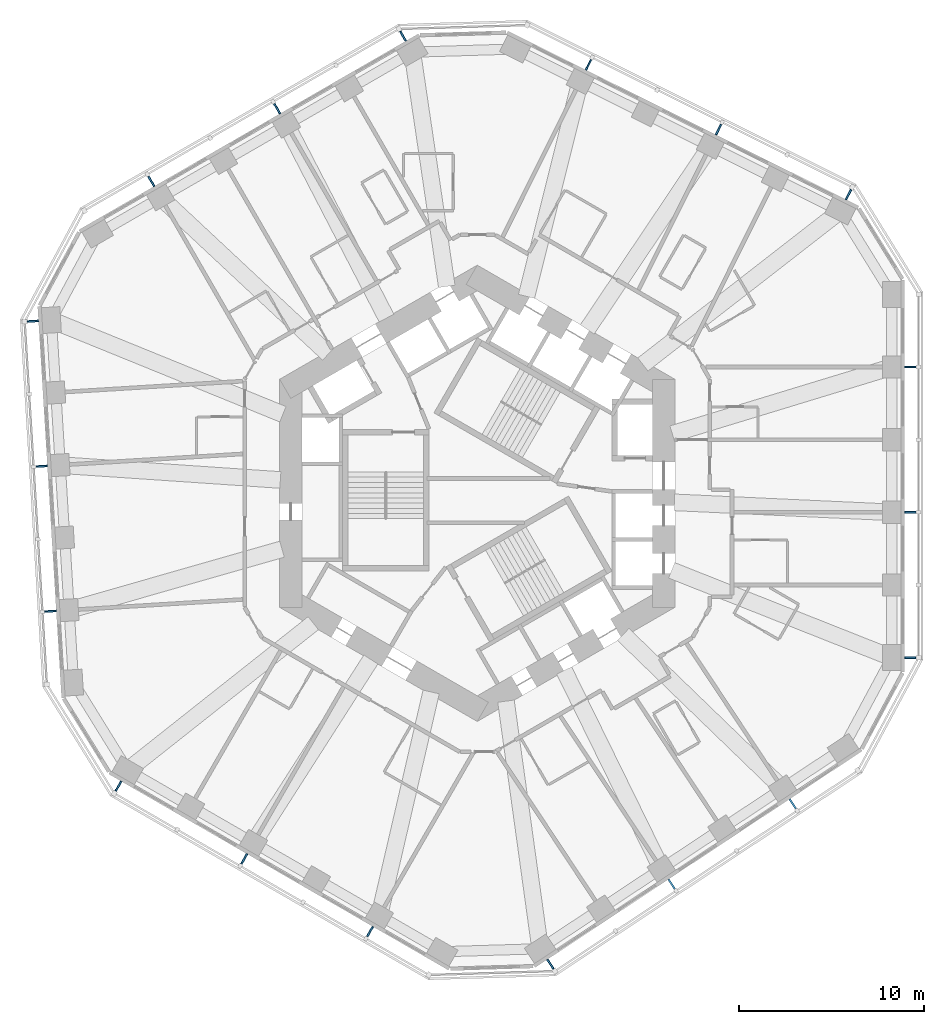
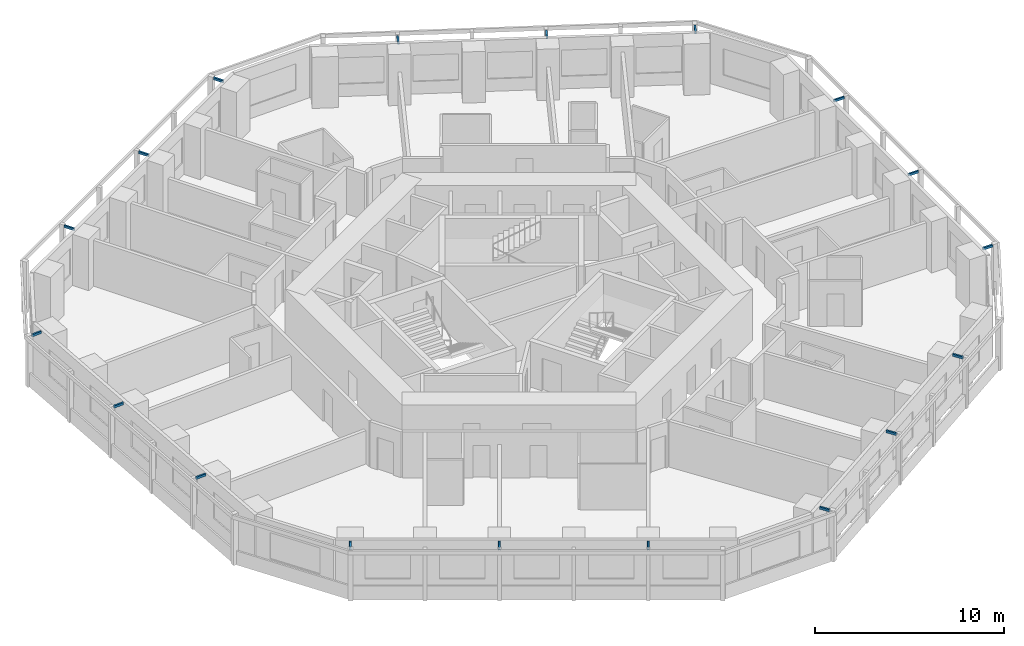
# One storey, part 11 of 12: 18 discrete accessories.
"""IFC4 building model written with IfcOpenShell, lengths in metres."""

from ifc_helpers import new_model, si_unit, direction, frame, origin, origin_2d, place, context, subcontext, project, spatial, rectangle, extrude, material, type_object, element, save


model = new_model("IFC4")

# Units and contexts
model_context = context("Model", 3, precision=1e-05, world=origin(), true_north=direction((0.0, 1.0)))
body_context = subcontext(model_context, "Body", "Model", "MODEL_VIEW")
ifc_project = project(units=[si_unit("LENGTHUNIT", "METRE"), si_unit("AREAUNIT", "SQUARE_METRE"), si_unit("VOLUMEUNIT", "CUBIC_METRE"), si_unit("PLANEANGLEUNIT", "RADIAN"), si_unit("MASSUNIT", "GRAM", prefix="KILO")], contexts=[model_context])

# Site, building, storey
site_placement = place(None, origin())
site = spatial("IfcSite", under=ifc_project, at=site_placement, CompositionType="ELEMENT")
building_placement = place(site_placement, origin())
building = spatial("IfcBuilding", under=site, at=building_placement, Name="Vanh Sen Convention Tower", CompositionType="ELEMENT")
storey_placement = place(building_placement, frame((0.0, 0.0, 73.699951171875)))
storey = spatial("IfcBuildingStorey", under=building, at=storey_placement, Name="L16", CompositionType="ELEMENT", Elevation=73.699951171875)

# Discrete accessories
ifc_material = material(Name="Steel S355", Category="steel")
discrete_accessory_type = type_object("IfcDiscreteAccessoryType", Name="Fin bracket 100 x 150", PredefinedType="BRACKET", material=ifc_material)
discrete_accessory_1_placement = place(storey_placement, frame((23.449951171875, -8.899169921875, 3.10009765625), z_axis=(0.0, 0.0, 1.0), x_axis=(1.0, 0.0, 0.0)))
element("IfcDiscreteAccessory", 1, at=discrete_accessory_1_placement, inside=storey, type_object=discrete_accessory_type, Name="Fin bracket E-1 L16", PredefinedType="BRACKET", context=body_context, shape_type="SweptSolid", body=[
    extrude(rectangle(XDim=0.60009765625, YDim=0.10009765625, at=origin_2d()), origin(), (0.0, 0.0, 1.0), 0.14990234375),
])
for number, where, z_axis, x_axis, name in (
    (2, (23.46240234375, -1.030029296875, 3.10009765625), (0.0, 0.0, 1.0), (1.0, 0.0, 0.0), "Fin bracket E-3 L16"),
    (3, (23.46240234375, 6.839111328125, 3.10009765625), (0.0, 0.0, 1.0), (1.0, 0.0, 0.0), "Fin bracket E-5 L16"),
):
    element("IfcDiscreteAccessory", number, at=place(storey_placement, frame(where, z_axis=z_axis, x_axis=x_axis)), inside=storey, type_object=discrete_accessory_type, Name=name, PredefinedType="BRACKET", context=body_context, shape_type="SweptSolid", body=[
        extrude(rectangle(XDim=0.625, YDim=0.10009765625, at=origin_2d()), origin(), (0.0, 0.0, 1.0), 0.14990234375),
    ])
discrete_accessory_2_placement = place(storey_placement, frame((20.10498046875, 16.178955078125, 3.10009765625), z_axis=(0.0, 0.0, 1.0), x_axis=(0.44619781311, 0.894934361602, 0.0)))
element("IfcDiscreteAccessory", 4, at=discrete_accessory_2_placement, inside=storey, type_object=discrete_accessory_type, Name="Fin bracket NE-1 L16", PredefinedType="BRACKET", context=body_context, shape_type="SweptSolid", body=[
    extrude(rectangle(XDim=0.60009765625, YDim=0.10009765625, at=origin_2d()), origin(), (0.0, 0.0, 1.0), 0.14990234375),
])
for number, where, z_axis, x_axis, name in (
    (5, (13.068359375, 19.701416015625, 3.10009765625), (0.0, 0.0, 1.0), (0.44619781311, 0.894934361602, 0.0), "Fin bracket NE-3 L16"),
    (6, (6.02587890625, 23.212646484375, 3.10009765625), (0.0, 0.0, 1.0), (0.44619781311, 0.894934361602, 0.0), "Fin bracket NE-5 L16"),
):
    element("IfcDiscreteAccessory", number, at=place(storey_placement, frame(where, z_axis=z_axis, x_axis=x_axis)), inside=storey, type_object=discrete_accessory_type, Name=name, PredefinedType="BRACKET", context=body_context, shape_type="SweptSolid", body=[
        extrude(rectangle(XDim=0.625, YDim=0.10009765625, at=origin_2d()), origin(), (0.0, 0.0, 1.0), 0.14990234375),
    ])
discrete_accessory_3_placement = place(storey_placement, frame((-4.01806640625, 24.7578125, 3.10009765625), z_axis=(0.0, 0.0, 1.0), x_axis=(-0.5, 0.866025403784, 0.0)))
element("IfcDiscreteAccessory", 7, at=discrete_accessory_3_placement, inside=storey, type_object=discrete_accessory_type, Name="Fin bracket NW-1 L16", PredefinedType="BRACKET", context=body_context, shape_type="SweptSolid", body=[
    extrude(rectangle(XDim=0.60009765625, YDim=0.10009765625, at=origin_2d()), origin(), (0.0, 0.0, 1.0), 0.14990234375),
])
for number, where, z_axis, x_axis, name in (
    (8, (-10.839111328125, 20.834228515625, 3.10009765625), (0.0, 0.0, 1.0), (-0.5, 0.866025403784, 0.0), "Fin bracket NW-3 L16"),
    (9, (-17.654296875, 16.899658203125, 3.10009765625), (0.0, 0.0, 1.0), (-0.5, 0.866025403784, 0.0), "Fin bracket NW-5 L16"),
):
    element("IfcDiscreteAccessory", number, at=place(storey_placement, frame(where, z_axis=z_axis, x_axis=x_axis)), inside=storey, type_object=discrete_accessory_type, Name=name, PredefinedType="BRACKET", context=body_context, shape_type="SweptSolid", body=[
        extrude(rectangle(XDim=0.625, YDim=0.10009765625, at=origin_2d()), origin(), (0.0, 0.0, 1.0), 0.14990234375),
    ])
discrete_accessory_4_placement = place(storey_placement, frame((-24.06396484375, 9.322021484375, 3.10009765625), z_axis=(0.0, 0.0, 1.0), x_axis=(-0.998134798422, -0.061048539535, 0.0)))
element("IfcDiscreteAccessory", 10, at=discrete_accessory_4_placement, inside=storey, type_object=discrete_accessory_type, Name="Fin bracket W-1 L16", PredefinedType="BRACKET", context=body_context, shape_type="SweptSolid", body=[
    extrude(rectangle(XDim=0.60009765625, YDim=0.10009765625, at=origin_2d()), origin(), (0.0, 0.0, 1.0), 0.14990234375),
])
for number, where, z_axis, x_axis, name in (
    (11, (-23.595947265625, 1.466796875, 3.10009765625), (0.0, 0.0, 1.0), (-0.998134798422, -0.061048539535, 0.0), "Fin bracket W-3 L16"),
    (12, (-23.115478515625, -6.3876953125, 3.10009765625), (0.0, 0.0, 1.0), (-0.998134798422, -0.061048539535, 0.0), "Fin bracket W-5 L16"),
):
    element("IfcDiscreteAccessory", number, at=place(storey_placement, frame(where, z_axis=z_axis, x_axis=x_axis)), inside=storey, type_object=discrete_accessory_type, Name=name, PredefinedType="BRACKET", context=body_context, shape_type="SweptSolid", body=[
        extrude(rectangle(XDim=0.625, YDim=0.10009765625, at=origin_2d()), origin(), (0.0, 0.0, 1.0), 0.14990234375),
    ])
discrete_accessory_5_placement = place(storey_placement, frame((-19.431884765625, -15.858642578125, 3.10009765625), z_axis=(0.0, 0.0, 1.0), x_axis=(-0.5, -0.866025403784, 0.0)))
element("IfcDiscreteAccessory", 13, at=discrete_accessory_5_placement, inside=storey, type_object=discrete_accessory_type, Name="Fin bracket SW-1 L16", PredefinedType="BRACKET", context=body_context, shape_type="SweptSolid", body=[
    extrude(rectangle(XDim=0.60009765625, YDim=0.10009765625, at=origin_2d()), origin(), (0.0, 0.0, 1.0), 0.14990234375),
])
for number, where, z_axis, x_axis, name in (
    (14, (-12.623291015625, -19.80419921875, 3.10009765625), (0.0, 0.0, 1.0), (-0.5, -0.866025403784, 0.0), "Fin bracket SW-3 L16"),
    (15, (-5.808349609375, -23.73876953125, 3.10009765625), (0.0, 0.0, 1.0), (-0.5, -0.866025403784, 0.0), "Fin bracket SW-5 L16"),
):
    element("IfcDiscreteAccessory", number, at=place(storey_placement, frame(where, z_axis=z_axis, x_axis=x_axis)), inside=storey, type_object=discrete_accessory_type, Name=name, PredefinedType="BRACKET", context=body_context, shape_type="SweptSolid", body=[
        extrude(rectangle(XDim=0.625, YDim=0.10009765625, at=origin_2d()), origin(), (0.0, 0.0, 1.0), 0.14990234375),
    ])
discrete_accessory_6_placement = place(storey_placement, frame((3.958740234375, -25.5009765625, 3.10009765625), z_axis=(0.0, 0.0, 1.0), x_axis=(0.551936985312, -0.833885822067, 0.0)))
element("IfcDiscreteAccessory", 16, at=discrete_accessory_6_placement, inside=storey, type_object=discrete_accessory_type, Name="Fin bracket SE-1 L16", PredefinedType="BRACKET", context=body_context, shape_type="SweptSolid", body=[
    extrude(rectangle(XDim=0.60009765625, YDim=0.10009765625, at=origin_2d()), origin(), (0.0, 0.0, 1.0), 0.14990234375),
])
for number, where, z_axis, x_axis, name in (
    (17, (10.527587890625, -21.168212890625, 3.10009765625), (0.0, 0.0, 1.0), (0.551936985312, -0.833885822067, 0.0), "Fin bracket SE-3 L16"),
    (18, (17.089599609375, -16.824951171875, 3.10009765625), (0.0, 0.0, 1.0), (0.551936985312, -0.833885822067, 0.0), "Fin bracket SE-5 L16"),
):
    element("IfcDiscreteAccessory", number, at=place(storey_placement, frame(where, z_axis=z_axis, x_axis=x_axis)), inside=storey, type_object=discrete_accessory_type, Name=name, PredefinedType="BRACKET", context=body_context, shape_type="SweptSolid", body=[
        extrude(rectangle(XDim=0.625, YDim=0.10009765625, at=origin_2d()), origin(), (0.0, 0.0, 1.0), 0.14990234375),
    ])

save(model, "model.ifc")
